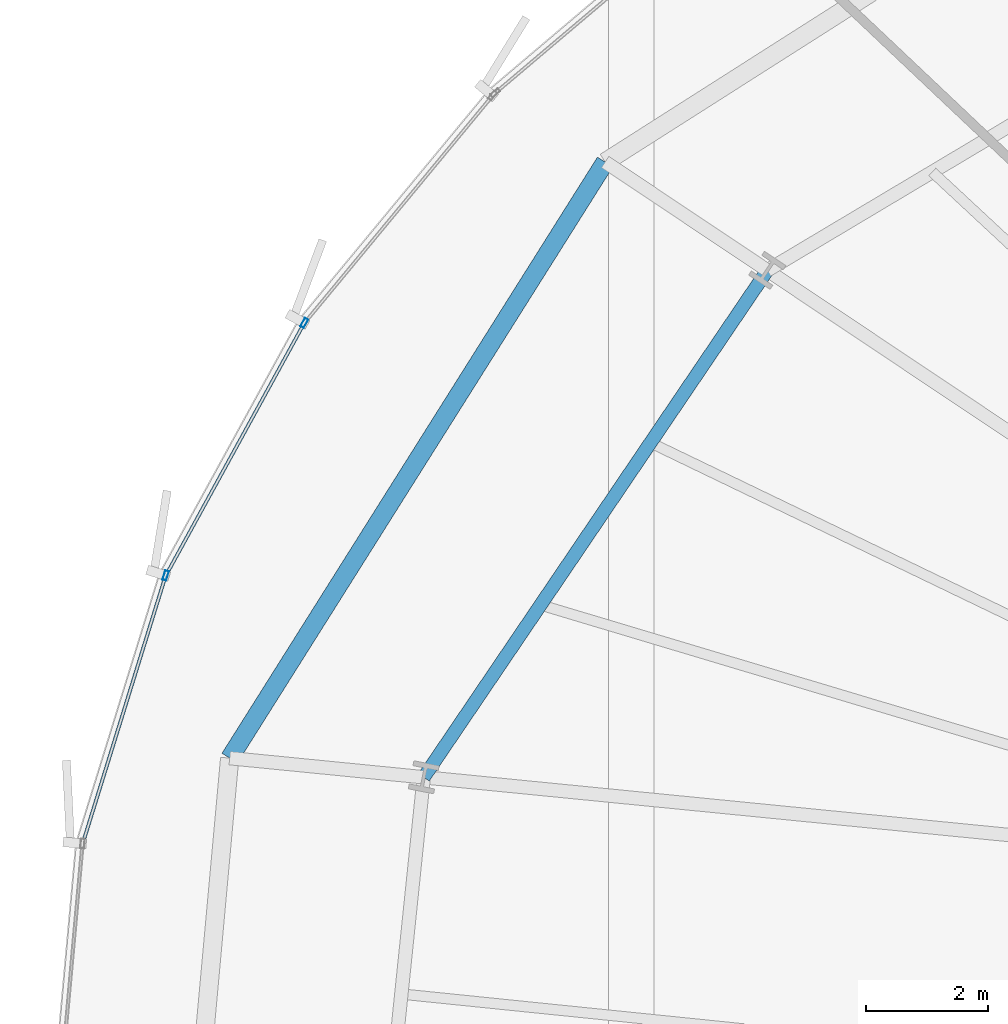
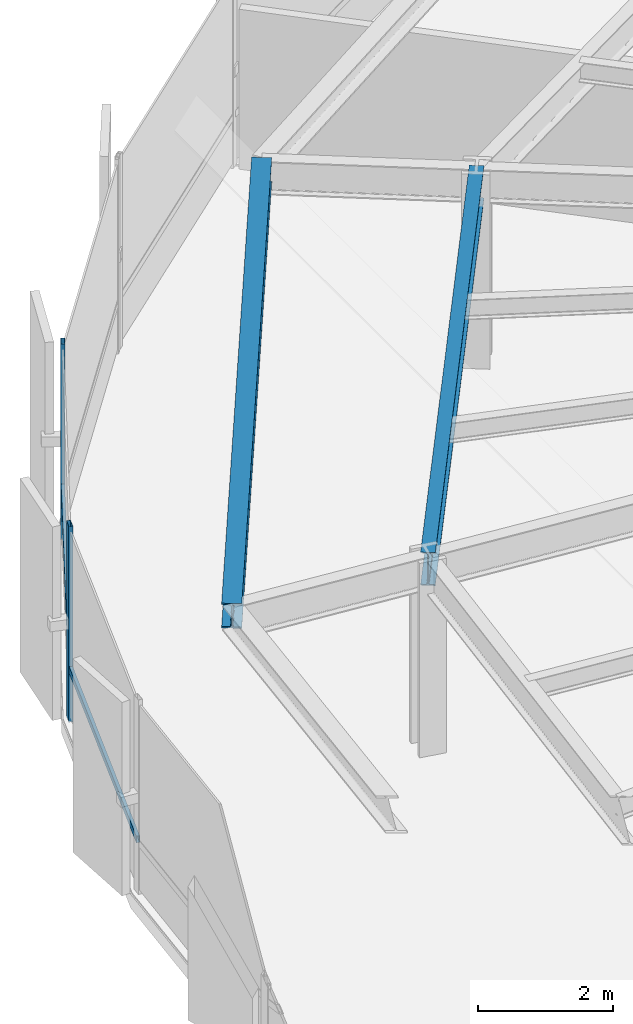
# One storey, part 19 of 39: 4 members, 2 beams, 1 element without a shape of its own.
"""IFC4 building model written with IfcOpenShell, lengths in metres."""

from ifc_helpers import new_model, si_unit, direction, frame, origin, origin_2d, place, context, subcontext, project, spatial, hollow_rectangle, i_section, extrude, source, transform, mapped, material, layer, layer_set, material_profile, profile_set, type_object, element, aggregate, save


model = new_model("IFC4")

# Units and contexts
model_context = context("Model", 3, precision=1e-05, world=origin(), true_north=direction((0.0, 1.0)))
body_context = subcontext(model_context, "Body", "Model", "MODEL_VIEW")
ifc_project = project(units=[si_unit("LENGTHUNIT", "METRE"), si_unit("AREAUNIT", "SQUARE_METRE"), si_unit("VOLUMEUNIT", "CUBIC_METRE"), si_unit("PLANEANGLEUNIT", "RADIAN"), si_unit("MASSUNIT", "GRAM", prefix="KILO"), si_unit("THERMODYNAMICTEMPERATUREUNIT", "KELVIN")], contexts=[model_context])

# Site, building, storey
site_placement = place(None, origin())
site = spatial("IfcSite", under=ifc_project, at=site_placement, CompositionType="ELEMENT")
building_placement = place(site_placement, origin())
building = spatial("IfcBuilding", under=site, at=building_placement, Name="Kethvar Cultural Tower", CompositionType="ELEMENT")
storey_placement = place(building_placement, frame((0.0, 0.0, 33.39990234375)))
storey = spatial("IfcBuildingStorey", under=building, at=storey_placement, Name="L07", CompositionType="ELEMENT", Elevation=33.39990234375)

# Beams
ifc_material_1 = material(Name="Steel S355J2", Category="steel")
ifc_material_profile_1 = material_profile(ifc_material_1, i_section(OverallWidth=0.219970703125, OverallDepth=0.60009765625, WebThickness=0.011962890625, FlangeThickness=0.01904296875, FilletRadius=0.02392578125, at=origin_2d()), Name="Steel S355J2 — IPE600")
ifc_profile_set_1 = profile_set([ifc_material_profile_1], Name="Steel S355J2 — IPE600")
beam_type_1 = type_object("IfcBeamType", Name="BM-IPE600", PredefinedType="BEAM", material=ifc_profile_set_1)
shared_shape_1 = source(origin(), body_context, "Body", "SweptSolid", [
    extrude(i_section(OverallWidth=0.219970703125, OverallDepth=0.60009765625, WebThickness=0.011962890625, FlangeThickness=0.01904296875, FilletRadius=0.02392578125, at=origin_2d()), origin(), (0.0, 0.0, 1.0), 10.048583984375),
])
beam_1_placement = place(storey_placement, frame((26.6845703125, 41.24072265625, 3.248046875), z_axis=(-0.561025415443, -0.827798576483, 0.0), x_axis=(0.827798576483, -0.561025415443, 0.0)))
element("IfcBeam", 1, at=beam_1_placement, inside=storey, type_object=beam_type_1, Name="L07 Column Ring Tie Beam CR-07", PredefinedType="BEAM", context=body_context, shape_type="MappedRepresentation", body=[
    mapped(shared_shape_1, transform((0.0, 0.0, 0.0), scale=1.0)),
])
ifc_material_profile_2 = material_profile(ifc_material_1, i_section(OverallWidth=0.300048828125, OverallDepth=0.449951171875, WebThickness=0.013916015625, FlangeThickness=0.02587890625, FilletRadius=0.027099609375, at=origin_2d()), Name="Steel S355J2 — HEB450")
ifc_profile_set_2 = profile_set([ifc_material_profile_2], Name="Steel S355J2 — HEB450")
beam_type_2 = type_object("IfcBeamType", Name="BM-SP450", PredefinedType="SPANDREL", material=ifc_profile_set_2)
shared_shape_2 = source(origin(), body_context, "Body", "SweptSolid", [
    extrude(i_section(OverallWidth=0.300048828125, OverallDepth=0.449951171875, WebThickness=0.013916015625, FlangeThickness=0.02587890625, FilletRadius=0.027099609375, at=origin_2d()), origin(), (0.0, 0.0, 1.0), 11.560546875),
])
beam_2_placement = place(storey_placement, frame((24.02392578125, 43.0185546875, 3.322998046875), z_axis=(-0.532968413488, -0.846135137093, 0.0), x_axis=(0.846135137093, -0.532968413488, 0.0)))
element("IfcBeam", 2, at=beam_2_placement, inside=storey, type_object=beam_type_2, Name="L07 Perimeter Spandrel Beam SP-07", PredefinedType="SPANDREL", context=body_context, shape_type="MappedRepresentation", body=[
    mapped(shared_shape_2, transform((0.0, 0.0, 0.0), scale=1.0)),
])

# Curtain wall, members
ifc_material_2 = material(Name="Aluminium 6063-T6", Category="aluminium")
ifc_layer = layer(ifc_material_2, 0.179931640625, Name="Aluminium 6063-T6", Category="aluminium")
ifc_layer_set = layer_set([ifc_layer], Name="Aluminium 6063-T6 (180 mm)")
curtain_wall_type = type_object("IfcCurtainWallType", Name="CW-SYS-02-Z1", PredefinedType="NOTDEFINED", material=ifc_layer_set)
curtain_wall_placement = place(storey_placement, origin())
curtain_wall = element("IfcCurtainWall", 3, at=curtain_wall_placement, inside=storey, type_object=curtain_wall_type, Name="L07 Curtain Wall Run 04", PredefinedType="NOTDEFINED")
ifc_material_profile_3 = material_profile(ifc_material_2, hollow_rectangle(XDim=0.06494140625, YDim=0.159912109375, WallThickness=0.0048828125, at=origin_2d()), Name="Aluminium 6063-T6 — RHS160x65x5")
ifc_profile_set_3 = profile_set([ifc_material_profile_3], Name="Aluminium 6063-T6 — RHS160x65x5")
member_type_1 = type_object("IfcMemberType", Name="CW-SYS-02-Z1-MUL", PredefinedType="MULLION", material=ifc_profile_set_3)
shared_shape_3 = source(origin(), body_context, "Body", "SweptSolid", [
    extrude(hollow_rectangle(XDim=0.06494140625, YDim=0.159912109375, WallThickness=0.0048828125, at=origin_2d()), origin(), (0.0, 0.0, 1.0), 3.550048828125),
])
member_1_placement = place(storey_placement, frame((19.087158203125, 40.37744140625, 0.0), z_axis=(0.0, 0.0, 1.0), x_axis=(0.876869429355, -0.480728617686, 0.0)))
member_1 = element("IfcMember", 4, at=member_1_placement, type_object=member_type_1, Name="CW-L07-R04 Mullion 2", PredefinedType="MULLION", context=body_context, shape_type="MappedRepresentation", body=[
    mapped(shared_shape_3, transform((0.0, 0.0, 0.0), scale=1.0)),
])
member_2_placement = place(storey_placement, frame((16.8125, 36.233642578125, 0.0), z_axis=(0.0, 0.0, 1.0), x_axis=(0.955278362122, -0.295708050044, 0.0)))
member_2 = element("IfcMember", 5, at=member_2_placement, type_object=member_type_1, Name="CW-L07-R04 Mullion 3", PredefinedType="MULLION", context=body_context, shape_type="MappedRepresentation", body=[
    mapped(shared_shape_3, transform((0.0, 0.0, 0.0), scale=1.0)),
])
ifc_material_profile_4 = material_profile(ifc_material_2, hollow_rectangle(XDim=0.054931640625, YDim=0.1201171875, WallThickness=0.00390625, at=origin_2d()), Name="Aluminium 6063-T6 — RHS120x55x4")
ifc_profile_set_4 = profile_set([ifc_material_profile_4], Name="Aluminium 6063-T6 — RHS120x55x4")
member_type_2 = type_object("IfcMemberType", Name="CW-SYS-02-Z1-TRN", PredefinedType="USERDEFINED", material=ifc_profile_set_4)
shared_shape_4 = source(origin(), body_context, "Body", "SweptSolid", [
    extrude(hollow_rectangle(XDim=0.054931640625, YDim=0.1201171875, WallThickness=0.00390625, at=origin_2d()), origin(), (0.0, 0.0, 1.0), 4.657470703125),
])
member_3_placement = place(storey_placement, frame((19.064697265625, 40.33642578125, 0.9501953125), z_axis=(-0.480735108801, -0.876865870682, 0.0), x_axis=(0.876865870682, -0.480735108801, 0.0)))
member_3 = element("IfcMember", 6, at=member_3_placement, type_object=member_type_2, Name="CW-L07-R04 Transom 2", ObjectType="TRANSOM", PredefinedType="USERDEFINED", context=body_context, shape_type="MappedRepresentation", body=[
    mapped(shared_shape_4, transform((0.0, 0.0, 0.0), scale=1.0)),
])
shared_shape_5 = source(origin(), body_context, "Body", "SweptSolid", [
    extrude(hollow_rectangle(XDim=0.054931640625, YDim=0.1201171875, WallThickness=0.00390625, at=origin_2d()), origin(), (0.0, 0.0, 1.0), 4.537109375),
])
member_4_placement = place(storey_placement, frame((16.798828125, 36.18896484375, 0.9501953125), z_axis=(-0.295684897244, -0.955285528804, 0.0), x_axis=(0.955285528804, -0.295684897244, 0.0)))
member_4 = element("IfcMember", 7, at=member_4_placement, type_object=member_type_2, Name="CW-L07-R04 Transom 3", ObjectType="TRANSOM", PredefinedType="USERDEFINED", context=body_context, shape_type="MappedRepresentation", body=[
    mapped(shared_shape_5, transform((0.0, 0.0, 0.0), scale=1.0)),
])
aggregate(curtain_wall, [member_1, member_2, member_3, member_4])

save(model, "model.ifc")
